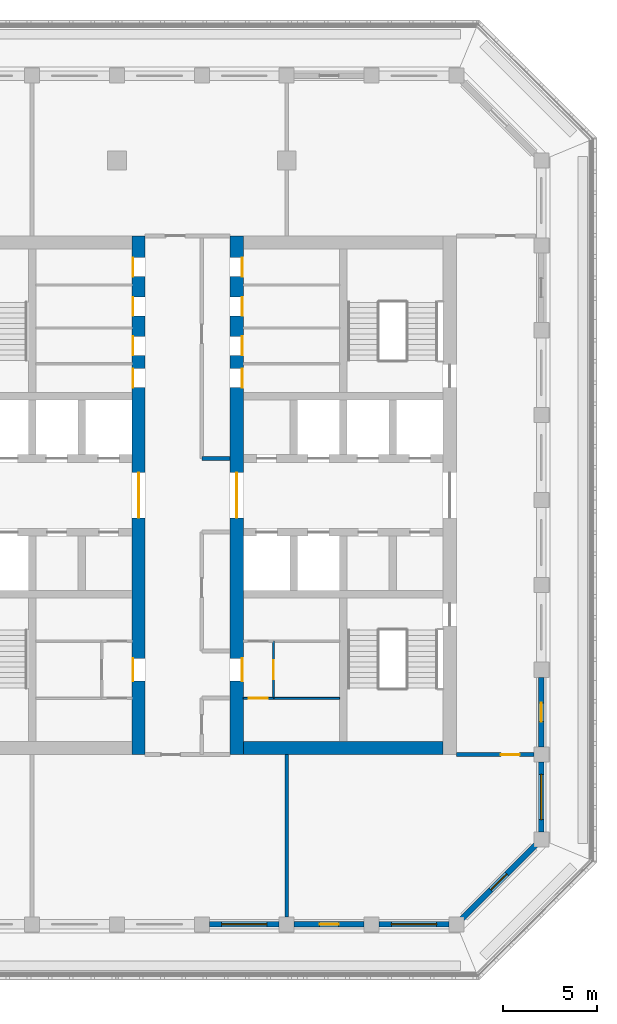
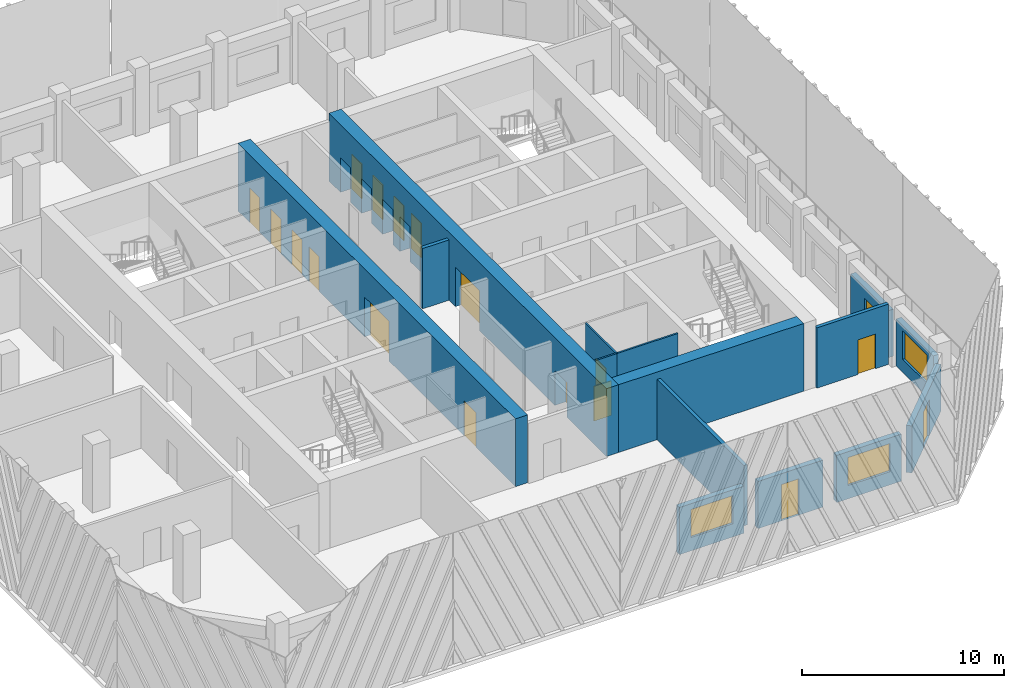
# One storey, part 4 of 15: 18 doors, 15 walls, 3 windows, 21 openings.
"""IFC4 building model written with IfcOpenShell, lengths in metres."""

from ifc_helpers import new_model, si_unit, direction, frame, frame_2d, origin, place, context, subcontext, project, spatial, rectangle, extrude, material, layer, layer_set, type_object, element, fill, save


model = new_model("IFC4")

# Units and contexts
model_context = context("Model", 3, precision=1e-05, world=origin(), true_north=direction((0.0, 1.0)))
body_context = subcontext(model_context, "Body", "Model", "MODEL_VIEW")
ifc_project = project(units=[si_unit("LENGTHUNIT", "METRE"), si_unit("AREAUNIT", "SQUARE_METRE"), si_unit("VOLUMEUNIT", "CUBIC_METRE"), si_unit("PLANEANGLEUNIT", "RADIAN"), si_unit("MASSUNIT", "GRAM", prefix="KILO")], contexts=[model_context])

# Site, building, storey
site_placement = place(None, origin())
site = spatial("IfcSite", under=ifc_project, at=site_placement, CompositionType="ELEMENT")
building_placement = place(site_placement, origin())
building = spatial("IfcBuilding", under=site, at=building_placement, Name="Corbel Stack Research Tower", CompositionType="ELEMENT")
storey_placement = place(building_placement, frame((0.0, 0.0, 274.5)))
storey = spatial("IfcBuildingStorey", under=building, at=storey_placement, Name="L62", CompositionType="ELEMENT", Elevation=274.5)

# Wall, openings, doors
ifc_material_1 = material(Name="Concrete C60/75", Category="concrete")
ifc_layer_1 = layer(ifc_material_1, 0.699951171875)
ifc_layer_set_1 = layer_set([ifc_layer_1], Name="Concrete C60/75")
wall_type_1 = type_object("IfcWallType", Name="CW-700-60", PredefinedType="SHEAR", material=ifc_layer_set_1)
wall_1_placement = place(storey_placement, frame((1.14990234375, -9.0, 0.0), z_axis=(0.0, 0.0, 1.0), x_axis=(0.0, 1.0, 0.0)))
wall_1 = element("IfcWall", 1, at=wall_1_placement, inside=storey, type_object=wall_type_1, Name="West core wall, east face L62", PredefinedType="SHEAR", context=body_context, shape_type="SweptSolid", body=[
    extrude(rectangle(XDim=27.5, YDim=0.699951171875, at=frame_2d((13.75, 0.0))), origin(), (0.0, 0.0, 1.0), 4.10009765625),
])
opening_1_placement = place(wall_1_placement, frame((12.550048828125, 0.0, 0.0)))
opening_1 = element("IfcOpeningElement", 2, at=opening_1_placement, cuts=wall_1, Name="Opening CD-W-E", PredefinedType="OPENING", context=body_context, shape_type="SweptSolid", body=[
    extrude(rectangle(XDim=2.39990234375, YDim=2.39990234375, at=frame_2d((1.199951171875, 1.199951171875))), frame((0.0, 0.35986328125, 0.0), z_axis=(0.0, -1.0, 0.0), x_axis=(1.0, 0.0, 0.0)), (0.0, 0.0, 1.0), 0.719970703125),
])
opening_2_placement = place(wall_1_placement, frame((3.89990234375, 0.0, 0.0)))
opening_2 = element("IfcOpeningElement", 3, at=opening_2_placement, cuts=wall_1, Name="Opening CR-W36-W1-1200", PredefinedType="OPENING", context=body_context, shape_type="SweptSolid", body=[
    extrude(rectangle(XDim=1.199951171875, YDim=2.10009765625, at=frame_2d((0.60009765625, 1.050048828125))), frame((0.0, 0.35986328125, 0.0), z_axis=(0.0, -1.0, 0.0), x_axis=(1.0, 0.0, 0.0)), (0.0, 0.0, 1.0), 0.719970703125),
])
opening_3_placement = place(wall_1_placement, frame((19.4599609375, 0.0, 0.0)))
opening_3 = element("IfcOpeningElement", 4, at=opening_3_placement, cuts=wall_1, Name="Opening CR-W36-R1-1000", PredefinedType="OPENING", context=body_context, shape_type="SweptSolid", body=[
    extrude(rectangle(XDim=1.0, YDim=2.10009765625, at=frame_2d((0.5, 1.050048828125))), frame((0.0, 0.35986328125, 0.0), z_axis=(0.0, -1.0, 0.0), x_axis=(1.0, 0.0, 0.0)), (0.0, 0.0, 1.0), 0.719970703125),
])
opening_4_placement = place(wall_1_placement, frame((21.169921875, 0.0, 0.0)))
opening_4 = element("IfcOpeningElement", 5, at=opening_4_placement, cuts=wall_1, Name="Opening CR-W36-R2-1000", PredefinedType="OPENING", context=body_context, shape_type="SweptSolid", body=[
    extrude(rectangle(XDim=1.0, YDim=2.10009765625, at=frame_2d((0.5, 1.050048828125))), frame((0.0, 0.35986328125, 0.0), z_axis=(0.0, -1.0, 0.0), x_axis=(1.0, 0.0, 0.0)), (0.0, 0.0, 1.0), 0.719970703125),
])
opening_5_placement = place(wall_1_placement, frame((23.260009765625, 0.0, 0.0)))
opening_5 = element("IfcOpeningElement", 6, at=opening_5_placement, cuts=wall_1, Name="Opening CR-W36-R3-1000", PredefinedType="OPENING", context=body_context, shape_type="SweptSolid", body=[
    extrude(rectangle(XDim=1.0, YDim=2.10009765625, at=frame_2d((0.5, 1.050048828125))), frame((0.0, 0.35986328125, 0.0), z_axis=(0.0, -1.0, 0.0), x_axis=(1.0, 0.0, 0.0)), (0.0, 0.0, 1.0), 0.719970703125),
])
opening_6_placement = place(wall_1_placement, frame((25.35009765625, 0.0, 0.0)))
opening_6 = element("IfcOpeningElement", 7, at=opening_6_placement, cuts=wall_1, Name="Opening CR-W36-R4-1000", PredefinedType="OPENING", context=body_context, shape_type="SweptSolid", body=[
    extrude(rectangle(XDim=1.0, YDim=2.10009765625, at=frame_2d((0.5, 1.050048828125))), frame((0.0, 0.35986328125, 0.0), z_axis=(0.0, -1.0, 0.0), x_axis=(1.0, 0.0, 0.0)), (0.0, 0.0, 1.0), 0.719970703125),
])
ifc_material_2 = material(Name="Painted steel fire door", Category="steel")
door_type_1 = type_object("IfcDoorType", Name="Lobby door pair 2400 x 2400 FD30S", OperationType="DOUBLE_DOOR_DOUBLE_SWING", PredefinedType="DOOR", material=ifc_material_2)
door_1_placement = place(opening_1_placement, origin())
door_1 = element("IfcDoor", 8, at=door_1_placement, inside=storey, type_object=door_type_1, Name="Lift lobby door W core E", OperationType="DOUBLE_DOOR_DOUBLE_SWING", OverallHeight=2.39990234375, OverallWidth=2.39990234375, PredefinedType="DOOR", context=body_context, shape_type="SweptSolid", body=[
    extrude(rectangle(XDim=2.39990234375, YDim=2.39990234375, at=frame_2d((1.199951171875, 1.199951171875))), frame((0.0, 0.02490234375, 0.0), z_axis=(0.0, -1.0, 0.0), x_axis=(1.0, 0.0, 0.0)), (0.0, 0.0, 1.0), 0.050048828125),
])
fill(opening_1, door_1)
ifc_material_3 = material(Name="Painted steel door", Category="steel")
door_type_2 = type_object("IfcDoorType", Name="Riser door 1000 x 2100 FD60 left hand", OperationType="SINGLE_SWING_LEFT", PredefinedType="DOOR", material=ifc_material_3)
door_2_placement = place(opening_3_placement, origin())
door_2 = element("IfcDoor", 9, at=door_2_placement, inside=storey, type_object=door_type_2, Name="Electrical riser door W core", OperationType="SINGLE_SWING_LEFT", OverallHeight=2.10009765625, OverallWidth=1.0, PredefinedType="DOOR", context=body_context, shape_type="SweptSolid", body=[
    extrude(rectangle(XDim=1.0, YDim=2.10009765625, at=frame_2d((0.5, 1.050048828125))), frame((0.0, 0.3251953125, 0.0), z_axis=(0.0, -1.0, 0.0), x_axis=(1.0, 0.0, 0.0)), (0.0, 0.0, 1.0), 0.050048828125),
])
fill(opening_3, door_2)
ifc_material_4 = material(Name="Painted steel door", Category="steel")
door_type_3 = type_object("IfcDoorType", Name="Riser door 1000 x 2100 FD60 right hand", OperationType="SINGLE_SWING_RIGHT", PredefinedType="DOOR", material=ifc_material_4)
door_3_placement = place(opening_4_placement, origin())
door_3 = element("IfcDoor", 10, at=door_3_placement, inside=storey, type_object=door_type_3, Name="Telecom room door W core", OperationType="SINGLE_SWING_RIGHT", OverallHeight=2.10009765625, OverallWidth=1.0, PredefinedType="DOOR", context=body_context, shape_type="SweptSolid", body=[
    extrude(rectangle(XDim=1.0, YDim=2.10009765625, at=frame_2d((0.5, 1.050048828125))), frame((0.0, 0.3251953125, 0.0), z_axis=(0.0, -1.0, 0.0), x_axis=(1.0, 0.0, 0.0)), (0.0, 0.0, 1.0), 0.050048828125),
])
fill(opening_4, door_3)
ifc_material_5 = material(Name="Painted steel door", Category="steel")
door_type_4 = type_object("IfcDoorType", Name="Service door 1000 x 2100 FD30 left hand", OperationType="SINGLE_SWING_LEFT", PredefinedType="DOOR", material=ifc_material_5)
door_4_placement = place(opening_5_placement, origin())
door_4 = element("IfcDoor", 11, at=door_4_placement, inside=storey, type_object=door_type_4, Name="Pantry door W core", OperationType="SINGLE_SWING_LEFT", OverallHeight=2.10009765625, OverallWidth=1.0, PredefinedType="DOOR", context=body_context, shape_type="SweptSolid", body=[
    extrude(rectangle(XDim=1.0, YDim=2.10009765625, at=frame_2d((0.5, 1.050048828125))), frame((0.0, 0.3251953125, 0.0), z_axis=(0.0, -1.0, 0.0), x_axis=(1.0, 0.0, 0.0)), (0.0, 0.0, 1.0), 0.050048828125),
])
fill(opening_5, door_4)
ifc_material_6 = material(Name="Painted steel door", Category="steel")
door_type_5 = type_object("IfcDoorType", Name="Service door 1000 x 2100 FD30 right hand", OperationType="SINGLE_SWING_RIGHT", PredefinedType="DOOR", material=ifc_material_6)
door_5_placement = place(opening_6_placement, origin())
door_5 = element("IfcDoor", 12, at=door_5_placement, inside=storey, type_object=door_type_5, Name="Cleaner's store door W core", OperationType="SINGLE_SWING_RIGHT", OverallHeight=2.10009765625, OverallWidth=1.0, PredefinedType="DOOR", context=body_context, shape_type="SweptSolid", body=[
    extrude(rectangle(XDim=1.0, YDim=2.10009765625, at=frame_2d((0.5, 1.050048828125))), frame((0.0, 0.3251953125, 0.0), z_axis=(0.0, -1.0, 0.0), x_axis=(1.0, 0.0, 0.0)), (0.0, 0.0, 1.0), 0.050048828125),
])
fill(opening_6, door_5)
ifc_material_7 = material(Name="Painted timber door", Category="wood")
door_type_6 = type_object("IfcDoorType", Name="WC door 1200 x 2100 left hand", OperationType="SINGLE_SWING_LEFT", PredefinedType="DOOR", material=ifc_material_7)
door_6_placement = place(opening_2_placement, origin())
door_6 = element("IfcDoor", 13, at=door_6_placement, inside=storey, type_object=door_type_6, Name="WC lobby door W core", OperationType="SINGLE_SWING_LEFT", OverallHeight=2.10009765625, OverallWidth=1.199951171875, PredefinedType="DOOR", context=body_context, shape_type="SweptSolid", body=[
    extrude(rectangle(XDim=1.199951171875, YDim=2.10009765625, at=frame_2d((0.60009765625, 1.050048828125))), frame((0.0, 0.3251953125, 0.0), z_axis=(0.0, -1.0, 0.0), x_axis=(1.0, 0.0, 0.0)), (0.0, 0.0, 1.0), 0.050048828125),
])
fill(opening_2, door_6)

wall_2_placement = place(storey_placement, frame((6.35009765625, -9.0, 0.0), z_axis=(0.0, 0.0, 1.0), x_axis=(0.0, 1.0, 0.0)))
wall_2 = element("IfcWall", 14, at=wall_2_placement, inside=storey, type_object=wall_type_1, Name="East core wall, west face L62", PredefinedType="SHEAR", context=body_context, shape_type="SweptSolid", body=[
    extrude(rectangle(XDim=27.5, YDim=0.699951171875, at=frame_2d((13.75, 0.0))), origin(), (0.0, 0.0, 1.0), 4.10009765625),
])
opening_7_placement = place(wall_2_placement, frame((12.550048828125, 0.0, 0.0)))
opening_7 = element("IfcOpeningElement", 15, at=opening_7_placement, cuts=wall_2, Name="Opening CD-E-W", PredefinedType="OPENING", context=body_context, shape_type="SweptSolid", body=[
    extrude(rectangle(XDim=2.39990234375, YDim=2.39990234375, at=frame_2d((1.199951171875, 1.199951171875))), frame((0.0, 0.35986328125, 0.0), z_axis=(0.0, -1.0, 0.0), x_axis=(1.0, 0.0, 0.0)), (0.0, 0.0, 1.0), 0.719970703125),
])
opening_8_placement = place(wall_2_placement, frame((3.89990234375, 0.0, 0.0)))
opening_8 = element("IfcOpeningElement", 16, at=opening_8_placement, cuts=wall_2, Name="Opening CR-E36-W1-1200", PredefinedType="OPENING", context=body_context, shape_type="SweptSolid", body=[
    extrude(rectangle(XDim=1.199951171875, YDim=2.10009765625, at=frame_2d((0.60009765625, 1.050048828125))), frame((0.0, 0.35986328125, 0.0), z_axis=(0.0, -1.0, 0.0), x_axis=(1.0, 0.0, 0.0)), (0.0, 0.0, 1.0), 0.719970703125),
])
opening_9_placement = place(wall_2_placement, frame((19.4599609375, 0.0, 0.0)))
opening_9 = element("IfcOpeningElement", 17, at=opening_9_placement, cuts=wall_2, Name="Opening CR-E36-R1-1000", PredefinedType="OPENING", context=body_context, shape_type="SweptSolid", body=[
    extrude(rectangle(XDim=1.0, YDim=2.10009765625, at=frame_2d((0.5, 1.050048828125))), frame((0.0, 0.35986328125, 0.0), z_axis=(0.0, -1.0, 0.0), x_axis=(1.0, 0.0, 0.0)), (0.0, 0.0, 1.0), 0.719970703125),
])
opening_10_placement = place(wall_2_placement, frame((21.169921875, 0.0, 0.0)))
opening_10 = element("IfcOpeningElement", 18, at=opening_10_placement, cuts=wall_2, Name="Opening CR-E36-R2-1000", PredefinedType="OPENING", context=body_context, shape_type="SweptSolid", body=[
    extrude(rectangle(XDim=1.0, YDim=2.10009765625, at=frame_2d((0.5, 1.050048828125))), frame((0.0, 0.35986328125, 0.0), z_axis=(0.0, -1.0, 0.0), x_axis=(1.0, 0.0, 0.0)), (0.0, 0.0, 1.0), 0.719970703125),
])
opening_11_placement = place(wall_2_placement, frame((23.260009765625, 0.0, 0.0)))
opening_11 = element("IfcOpeningElement", 19, at=opening_11_placement, cuts=wall_2, Name="Opening CR-E36-R3-1000", PredefinedType="OPENING", context=body_context, shape_type="SweptSolid", body=[
    extrude(rectangle(XDim=1.0, YDim=2.10009765625, at=frame_2d((0.5, 1.050048828125))), frame((0.0, 0.35986328125, 0.0), z_axis=(0.0, -1.0, 0.0), x_axis=(1.0, 0.0, 0.0)), (0.0, 0.0, 1.0), 0.719970703125),
])
opening_12_placement = place(wall_2_placement, frame((25.35009765625, 0.0, 0.0)))
opening_12 = element("IfcOpeningElement", 20, at=opening_12_placement, cuts=wall_2, Name="Opening CR-E36-R4-1000", PredefinedType="OPENING", context=body_context, shape_type="SweptSolid", body=[
    extrude(rectangle(XDim=1.0, YDim=2.10009765625, at=frame_2d((0.5, 1.050048828125))), frame((0.0, 0.35986328125, 0.0), z_axis=(0.0, -1.0, 0.0), x_axis=(1.0, 0.0, 0.0)), (0.0, 0.0, 1.0), 0.719970703125),
])
door_7_placement = place(opening_7_placement, origin())
door_7 = element("IfcDoor", 21, at=door_7_placement, inside=storey, type_object=door_type_1, Name="Lift lobby door E core W", OperationType="DOUBLE_DOOR_DOUBLE_SWING", OverallHeight=2.39990234375, OverallWidth=2.39990234375, PredefinedType="DOOR", context=body_context, shape_type="SweptSolid", body=[
    extrude(rectangle(XDim=2.39990234375, YDim=2.39990234375, at=frame_2d((1.199951171875, 1.199951171875))), frame((0.0, 0.02490234375, 0.0), z_axis=(0.0, -1.0, 0.0), x_axis=(1.0, 0.0, 0.0)), (0.0, 0.0, 1.0), 0.050048828125),
])
fill(opening_7, door_7)
door_8_placement = place(opening_10_placement, origin())
door_8 = element("IfcDoor", 22, at=door_8_placement, inside=storey, type_object=door_type_2, Name="Telecom room door E core", OperationType="SINGLE_SWING_LEFT", OverallHeight=2.10009765625, OverallWidth=1.0, PredefinedType="DOOR", context=body_context, shape_type="SweptSolid", body=[
    extrude(rectangle(XDim=1.0, YDim=2.10009765625, at=frame_2d((0.5, 1.050048828125))), frame((0.0, -0.27490234375, 0.0), z_axis=(0.0, -1.0, 0.0), x_axis=(1.0, 0.0, 0.0)), (0.0, 0.0, 1.0), 0.050048828125),
])
fill(opening_10, door_8)
door_9_placement = place(opening_9_placement, origin())
door_9 = element("IfcDoor", 23, at=door_9_placement, inside=storey, type_object=door_type_3, Name="Electrical riser door E core", OperationType="SINGLE_SWING_RIGHT", OverallHeight=2.10009765625, OverallWidth=1.0, PredefinedType="DOOR", context=body_context, shape_type="SweptSolid", body=[
    extrude(rectangle(XDim=1.0, YDim=2.10009765625, at=frame_2d((0.5, 1.050048828125))), frame((0.0, -0.27490234375, 0.0), z_axis=(0.0, -1.0, 0.0), x_axis=(1.0, 0.0, 0.0)), (0.0, 0.0, 1.0), 0.050048828125),
])
fill(opening_9, door_9)
door_10_placement = place(opening_12_placement, origin())
door_10 = element("IfcDoor", 24, at=door_10_placement, inside=storey, type_object=door_type_4, Name="Cleaner's store door E core", OperationType="SINGLE_SWING_LEFT", OverallHeight=2.10009765625, OverallWidth=1.0, PredefinedType="DOOR", context=body_context, shape_type="SweptSolid", body=[
    extrude(rectangle(XDim=1.0, YDim=2.10009765625, at=frame_2d((0.5, 1.050048828125))), frame((0.0, -0.27490234375, 0.0), z_axis=(0.0, -1.0, 0.0), x_axis=(1.0, 0.0, 0.0)), (0.0, 0.0, 1.0), 0.050048828125),
])
fill(opening_12, door_10)
door_11_placement = place(opening_11_placement, origin())
door_11 = element("IfcDoor", 25, at=door_11_placement, inside=storey, type_object=door_type_5, Name="Pantry door E core", OperationType="SINGLE_SWING_RIGHT", OverallHeight=2.10009765625, OverallWidth=1.0, PredefinedType="DOOR", context=body_context, shape_type="SweptSolid", body=[
    extrude(rectangle(XDim=1.0, YDim=2.10009765625, at=frame_2d((0.5, 1.050048828125))), frame((0.0, -0.27490234375, 0.0), z_axis=(0.0, -1.0, 0.0), x_axis=(1.0, 0.0, 0.0)), (0.0, 0.0, 1.0), 0.050048828125),
])
fill(opening_11, door_11)
ifc_material_8 = material(Name="Painted timber door", Category="wood")
door_type_7 = type_object("IfcDoorType", Name="WC door 1200 x 2100 right hand", OperationType="SINGLE_SWING_RIGHT", PredefinedType="DOOR", material=ifc_material_8)
door_12_placement = place(opening_8_placement, origin())
door_12 = element("IfcDoor", 26, at=door_12_placement, inside=storey, type_object=door_type_7, Name="WC lobby door E core", OperationType="SINGLE_SWING_RIGHT", OverallHeight=2.10009765625, OverallWidth=1.199951171875, PredefinedType="DOOR", context=body_context, shape_type="SweptSolid", body=[
    extrude(rectangle(XDim=1.199951171875, YDim=2.10009765625, at=frame_2d((0.60009765625, 1.050048828125))), frame((0.0, -0.27490234375, 0.0), z_axis=(0.0, -1.0, 0.0), x_axis=(1.0, 0.0, 0.0)), (0.0, 0.0, 1.0), 0.050048828125),
])
fill(opening_8, door_12)

# Wall
wall_3_placement = place(storey_placement, frame((6.699951171875, -8.64990234375, 0.0), z_axis=(0.0, 0.0, 1.0), x_axis=(1.0, 0.0, 0.0)))
element("IfcWall", 27, at=wall_3_placement, inside=storey, type_object=wall_type_1, Name="East core wall, south end L62", PredefinedType="SHEAR", context=body_context, shape_type="SweptSolid", body=[
    extrude(rectangle(XDim=10.60009765625, YDim=0.699951171875, at=frame_2d((5.300048828125, 0.0))), origin(), (0.0, 0.0, 1.0), 4.10009765625),
])

# Wall, opening, door
ifc_material_9 = material(Name="Gypsum board")
ifc_layer_2 = layer(ifc_material_9, 0.10009765625)
ifc_layer_set_2 = layer_set([ifc_layer_2], Name="Gypsum board")
wall_type_2 = type_object("IfcWallType", Name="Core partition 100", PredefinedType="PARTITIONING", material=ifc_layer_set_2)
wall_4_placement = place(storey_placement, frame((6.699951171875, -6.02001953125, 0.0), z_axis=(0.0, 0.0, 1.0), x_axis=(1.0, 0.0, 0.0)))
wall_4 = element("IfcWall", 28, at=wall_4_placement, inside=storey, type_object=wall_type_2, Name="Core partition E", PredefinedType="PARTITIONING", context=body_context, shape_type="SweptSolid", body=[
    extrude(rectangle(XDim=1.60009765625, YDim=0.10009765625, at=frame_2d((0.800048828125, 0.0))), origin(), (0.0, 0.0, 1.0), 3.64990234375),
])
opening_13_placement = place(wall_4_placement, frame((0.300048828125, 0.0, 0.0)))
opening_13 = element("IfcOpeningElement", 29, at=opening_13_placement, cuts=wall_4, Name="Opening CR-E36-W2-1000", PredefinedType="OPENING", context=body_context, shape_type="SweptSolid", body=[
    extrude(rectangle(XDim=1.0, YDim=2.10009765625, at=frame_2d((0.5, 1.050048828125))), frame((0.0, 0.06005859375, 0.0), z_axis=(0.0, -1.0, 0.0), x_axis=(1.0, 0.0, 0.0)), (0.0, 0.0, 1.0), 0.1201171875),
])
ifc_material_10 = material(Name="Painted timber door", Category="wood")
door_type_8 = type_object("IfcDoorType", Name="WC door 1000 x 2100 left hand", OperationType="SINGLE_SWING_LEFT", PredefinedType="DOOR", material=ifc_material_10)
door_13_placement = place(opening_13_placement, origin())
door_13 = element("IfcDoor", 30, at=door_13_placement, inside=storey, type_object=door_type_8, Name="Men's WC door E core", OperationType="SINGLE_SWING_LEFT", OverallHeight=2.10009765625, OverallWidth=1.0, PredefinedType="DOOR", context=body_context, shape_type="SweptSolid", body=[
    extrude(rectangle(XDim=1.0, YDim=2.10009765625, at=frame_2d((0.5, 1.050048828125))), frame((0.0, 0.02490234375, 0.0), z_axis=(0.0, -1.0, 0.0), x_axis=(1.0, 0.0, 0.0)), (0.0, 0.0, 1.0), 0.050048828125),
])
fill(opening_13, door_13)

wall_5_placement = place(storey_placement, frame((8.300048828125, -6.02001953125, 0.0), z_axis=(0.0, 0.0, 1.0), x_axis=(0.0, 1.0, 0.0)))
wall_5 = element("IfcWall", 31, at=wall_5_placement, inside=storey, type_object=wall_type_2, Name="Core partition E", PredefinedType="PARTITIONING", context=body_context, shape_type="SweptSolid", body=[
    extrude(rectangle(XDim=3.0400390625, YDim=0.10009765625, at=frame_2d((1.52001953125, 0.0))), origin(), (0.0, 0.0, 1.0), 3.64990234375),
])
opening_14_placement = place(wall_5_placement, frame((1.02001953125, 0.0, 0.0)))
opening_14 = element("IfcOpeningElement", 32, at=opening_14_placement, cuts=wall_5, Name="Opening CR-E36-W4-1000", PredefinedType="OPENING", context=body_context, shape_type="SweptSolid", body=[
    extrude(rectangle(XDim=1.0, YDim=2.10009765625, at=frame_2d((0.5, 1.050048828125))), frame((0.0, 0.06005859375, 0.0), z_axis=(0.0, -1.0, 0.0), x_axis=(1.0, 0.0, 0.0)), (0.0, 0.0, 1.0), 0.1201171875),
])
door_14_placement = place(opening_14_placement, origin())
door_14 = element("IfcDoor", 33, at=door_14_placement, inside=storey, type_object=door_type_8, Name="Accessible WC door E core", OperationType="SINGLE_SWING_LEFT", OverallHeight=2.10009765625, OverallWidth=1.0, PredefinedType="DOOR", context=body_context, shape_type="SweptSolid", body=[
    extrude(rectangle(XDim=1.0, YDim=2.10009765625, at=frame_2d((0.5, 1.050048828125))), frame((0.0, 0.02490234375, 0.0), z_axis=(0.0, -1.0, 0.0), x_axis=(1.0, 0.0, 0.0)), (0.0, 0.0, 1.0), 0.050048828125),
])
fill(opening_14, door_14)

# Walls
wall_6_placement = place(storey_placement, frame((8.300048828125, -6.02001953125, 0.0), z_axis=(0.0, 0.0, 1.0), x_axis=(1.0, 0.0, 0.0)))
element("IfcWall", 34, at=wall_6_placement, inside=storey, type_object=wall_type_2, Name="Core partition E", PredefinedType="PARTITIONING", context=body_context, shape_type="SweptSolid", body=[
    extrude(rectangle(XDim=3.5, YDim=0.10009765625, at=frame_2d((1.75, 0.0))), origin(), (0.0, 0.0, 1.0), 3.64990234375),
])
ifc_material_11 = material(Name="Fire-rated gypsum board partition on steel studs", Category="steel")
ifc_layer_3 = layer(ifc_material_11, 0.199951171875)
ifc_layer_set_3 = layer_set([ifc_layer_3], Name="Fire-rated gypsum board partition on steel studs")
wall_type_3 = type_object("IfcWallType", Name="Fire-rated partition 200 EI 60", PredefinedType="PARTITIONING", material=ifc_layer_set_3)
wall_7_placement = place(storey_placement, frame((9.0, -17.60009765625, 0.0), z_axis=(0.0, 0.0, 1.0), x_axis=(0.0, 1.0, 0.0)))
element("IfcWall", 35, at=wall_7_placement, inside=storey, type_object=wall_type_3, Name="Partition L62-008", PredefinedType="PARTITIONING", context=body_context, shape_type="SweptSolid", body=[
    extrude(rectangle(XDim=8.60009765625, YDim=0.199951171875, at=frame_2d((4.300048828125, 0.0))), origin(), (0.0, 0.0, 1.0), 3.64990234375),
])

# Wall, opening, door
wall_8_placement = place(storey_placement, frame((22.10009765625, -9.0, 0.0), z_axis=(0.0, 0.0, 1.0), x_axis=(-1.0, 0.0, 0.0)))
wall_8 = element("IfcWall", 36, at=wall_8_placement, inside=storey, type_object=wall_type_3, Name="Partition L62-013", PredefinedType="PARTITIONING", context=body_context, shape_type="SweptSolid", body=[
    extrude(rectangle(XDim=4.10009765625, YDim=0.199951171875, at=frame_2d((2.050048828125, 0.0))), origin(), (0.0, 0.0, 1.0), 3.64990234375),
])
opening_15_placement = place(wall_8_placement, frame((0.75, 0.0, 0.0)))
opening_15 = element("IfcOpeningElement", 37, at=opening_15_placement, cuts=wall_8, Name="Opening B8V1-005", PredefinedType="OPENING", context=body_context, shape_type="SweptSolid", body=[
    extrude(rectangle(XDim=1.0, YDim=2.10009765625, at=frame_2d((0.5, 1.050048828125))), frame((0.0, 0.10986328125, 0.0), z_axis=(0.0, -1.0, 0.0), x_axis=(1.0, 0.0, 0.0)), (0.0, 0.0, 1.0), 0.219970703125),
])
ifc_material_12 = material(Name="Painted steel fire door", Category="steel")
door_type_9 = type_object("IfcDoorType", Name="Fire door FD30S 1000 x 2100", OperationType="NOTDEFINED", PredefinedType="DOOR", material=ifc_material_12)
door_15_placement = place(opening_15_placement, origin())
door_15 = element("IfcDoor", 38, at=door_15_placement, inside=storey, type_object=door_type_9, Name="Door B8V1-005", OperationType="SINGLE_SWING_LEFT", OverallHeight=2.10009765625, OverallWidth=1.0, PredefinedType="DOOR", context=body_context, shape_type="SweptSolid", body=[
    extrude(rectangle(XDim=1.0, YDim=2.10009765625, at=frame_2d((0.5, 1.050048828125))), frame((0.0, 0.02490234375, 0.0), z_axis=(0.0, -1.0, 0.0), x_axis=(1.0, 0.0, 0.0)), (0.0, 0.0, 1.0), 0.050048828125),
])
fill(opening_15, door_15)

# Wall
wall_9_placement = place(storey_placement, frame((4.5, 6.699951171875, 0.0), z_axis=(0.0, 0.0, 1.0), x_axis=(1.0, 0.0, 0.0)))
element("IfcWall", 39, at=wall_9_placement, inside=storey, type_object=wall_type_3, Name="Partition L62-020", PredefinedType="PARTITIONING", context=body_context, shape_type="SweptSolid", body=[
    extrude(rectangle(XDim=1.5, YDim=0.199951171875, at=frame_2d((0.75, 0.0))), origin(), (0.0, 0.0, 1.0), 3.64990234375),
])

# Wall, opening, window
ifc_material_13 = material(Name="Concrete C45/55", Category="concrete")
ifc_layer_4 = layer(ifc_material_13, 0.300048828125)
ifc_layer_set_4 = layer_set([ifc_layer_4], Name="Concrete C45/55")
wall_type_4 = type_object("IfcWallType", Name="Terracotta-faced concrete wall 300", PredefinedType="SOLIDWALL", material=ifc_layer_set_4)
wall_10_placement = place(storey_placement, frame((8.60009765625, -18.0, 0.0), z_axis=(0.0, 0.0, 1.0), x_axis=(-1.0, 0.0, 0.0)))
wall_10 = element("IfcWall", 40, at=wall_10_placement, inside=storey, type_object=wall_type_4, Name="Facade wall L62 S06", PredefinedType="SOLIDWALL", context=body_context, shape_type="SweptSolid", body=[
    extrude(rectangle(XDim=3.7001953125, YDim=0.300048828125, at=frame_2d((1.85009765625, 0.0))), origin(), (0.0, 0.0, 1.0), 2.85009765625),
])
opening_16_placement = place(wall_10_placement, frame((0.64990234375, 0.0, 0.800048828125)))
opening_16 = element("IfcOpeningElement", 41, at=opening_16_placement, cuts=wall_10, Name="Opening W1", PredefinedType="OPENING", context=body_context, shape_type="SweptSolid", body=[
    extrude(rectangle(XDim=2.39990234375, YDim=1.699951171875, at=frame_2d((1.199951171875, 0.85009765625))), frame((0.0, 0.159912109375, 0.0), z_axis=(0.0, -1.0, 0.0), x_axis=(1.0, 0.0, 0.0)), (0.0, 0.0, 1.0), 0.320068359375),
])
ifc_material_14 = material(Name="Aluminium frame, clear double glazing", Category="aluminium")
window_type = type_object("IfcWindowType", Name="Window W1 2400 x 1700", PartitioningType="SINGLE_PANEL", PredefinedType="WINDOW", material=ifc_material_14)
window_1_placement = place(opening_16_placement, origin())
window_1 = element("IfcWindow", 42, at=window_1_placement, inside=storey, type_object=window_type, Name="Window W1 L62 S06", OverallHeight=1.699951171875, OverallWidth=2.39990234375, PartitioningType="SINGLE_PANEL", PredefinedType="WINDOW", context=body_context, shape_type="SweptSolid", body=[
    extrude(rectangle(XDim=2.39990234375, YDim=1.699951171875, at=frame_2d((1.199951171875, 0.85009765625))), frame((0.0, 0.030029296875, 0.0), z_axis=(0.0, -1.0, 0.0), x_axis=(1.0, 0.0, 0.0)), (0.0, 0.0, 1.0), 0.06005859375),
])
fill(opening_16, window_1)

# Wall, opening, door
wall_11_placement = place(storey_placement, frame((13.10009765625, -18.0, 0.0), z_axis=(0.0, 0.0, 1.0), x_axis=(-1.0, 0.0, 0.0)))
wall_11 = element("IfcWall", 43, at=wall_11_placement, inside=storey, type_object=wall_type_4, Name="Facade wall L62 S07", PredefinedType="SOLIDWALL", context=body_context, shape_type="SweptSolid", body=[
    extrude(rectangle(XDim=3.7001953125, YDim=0.300048828125, at=frame_2d((1.85009765625, 0.0))), origin(), (0.0, 0.0, 1.0), 2.85009765625),
])
opening_17_placement = place(wall_11_placement, frame((1.35009765625, 0.0, 0.0)))
opening_17 = element("IfcOpeningElement", 44, at=opening_17_placement, cuts=wall_11, Name="Opening L62-B02", PredefinedType="OPENING", context=body_context, shape_type="SweptSolid", body=[
    extrude(rectangle(XDim=1.0, YDim=2.199951171875, at=frame_2d((0.5, 1.10009765625))), frame((0.0, 0.159912109375, 0.0), z_axis=(0.0, -1.0, 0.0), x_axis=(1.0, 0.0, 0.0)), (0.0, 0.0, 1.0), 0.320068359375),
])
ifc_material_15 = material(Name="Aluminium frame, clear double glazing", Category="aluminium")
door_type_10 = type_object("IfcDoorType", Name="Balcony door BD1 1000 x 2200", OperationType="NOTDEFINED", PredefinedType="DOOR", material=ifc_material_15)
door_16_placement = place(opening_17_placement, origin())
door_16 = element("IfcDoor", 45, at=door_16_placement, inside=storey, type_object=door_type_10, Name="Balcony door L62-B02", OperationType="SINGLE_SWING_LEFT", OverallHeight=2.199951171875, OverallWidth=1.0, PredefinedType="DOOR", context=body_context, shape_type="SweptSolid", body=[
    extrude(rectangle(XDim=1.0, YDim=2.199951171875, at=frame_2d((0.5, 1.10009765625))), frame((0.0, 0.02490234375, 0.0), z_axis=(0.0, -1.0, 0.0), x_axis=(1.0, 0.0, 0.0)), (0.0, 0.0, 1.0), 0.050048828125),
])
fill(opening_17, door_16)

# Wall, opening, window
wall_12_placement = place(storey_placement, frame((17.60009765625, -18.0, 0.0), z_axis=(0.0, 0.0, 1.0), x_axis=(-1.0, 0.0, 0.0)))
wall_12 = element("IfcWall", 46, at=wall_12_placement, inside=storey, type_object=wall_type_4, Name="Facade wall L62 S08", PredefinedType="SOLIDWALL", context=body_context, shape_type="SweptSolid", body=[
    extrude(rectangle(XDim=3.7001953125, YDim=0.300048828125, at=frame_2d((1.85009765625, 0.0))), origin(), (0.0, 0.0, 1.0), 2.85009765625),
])
opening_18_placement = place(wall_12_placement, frame((0.64990234375, 0.0, 0.800048828125)))
opening_18 = element("IfcOpeningElement", 47, at=opening_18_placement, cuts=wall_12, Name="Opening W1", PredefinedType="OPENING", context=body_context, shape_type="SweptSolid", body=[
    extrude(rectangle(XDim=2.39990234375, YDim=1.699951171875, at=frame_2d((1.199951171875, 0.85009765625))), frame((0.0, 0.159912109375, 0.0), z_axis=(0.0, -1.0, 0.0), x_axis=(1.0, 0.0, 0.0)), (0.0, 0.0, 1.0), 0.320068359375),
])
window_2_placement = place(opening_18_placement, origin())
window_2 = element("IfcWindow", 48, at=window_2_placement, inside=storey, type_object=window_type, Name="Window W1 L62 S08", OverallHeight=1.699951171875, OverallWidth=2.39990234375, PartitioningType="SINGLE_PANEL", PredefinedType="WINDOW", context=body_context, shape_type="SweptSolid", body=[
    extrude(rectangle(XDim=2.39990234375, YDim=1.699951171875, at=frame_2d((1.199951171875, 0.85009765625))), frame((0.0, 0.030029296875, 0.0), z_axis=(0.0, -1.0, 0.0), x_axis=(1.0, 0.0, 0.0)), (0.0, 0.0, 1.0), 0.06005859375),
])
fill(opening_18, window_2)

# Wall, opening, door
wall_13_placement = place(storey_placement, frame((22.2060546875, -13.7939453125, 0.0), z_axis=(0.0, 0.0, 1.0), x_axis=(-0.707106781187, -0.707106781187, 0.0)))
wall_13 = element("IfcWall", 49, at=wall_13_placement, inside=storey, type_object=wall_type_4, Name="Facade wall L62 SE01", PredefinedType="SOLIDWALL", context=body_context, shape_type="SweptSolid", body=[
    extrude(rectangle(XDim=5.532470703125, YDim=0.300048828125, at=frame_2d((2.76611328125, 0.0))), origin(), (0.0, 0.0, 1.0), 2.85009765625),
])
opening_19_placement = place(wall_13_placement, frame((2.166259765625, 0.0, 0.0)))
opening_19 = element("IfcOpeningElement", 50, at=opening_19_placement, cuts=wall_13, Name="Opening L62-B03", PredefinedType="OPENING", context=body_context, shape_type="SweptSolid", body=[
    extrude(rectangle(XDim=1.199951171875, YDim=2.199951171875, at=frame_2d((0.60009765625, 1.10009765625))), frame((0.0, 0.159912109375, 0.0), z_axis=(0.0, -1.0, 0.0), x_axis=(1.0, 0.0, 0.0)), (0.0, 0.0, 1.0), 0.320068359375),
])
ifc_material_16 = material(Name="Aluminium frame, clear double glazing", Category="aluminium")
door_type_11 = type_object("IfcDoorType", Name="Balcony door BD2 1200 x 2200", OperationType="NOTDEFINED", PredefinedType="DOOR", material=ifc_material_16)
door_17_placement = place(opening_19_placement, origin())
door_17 = element("IfcDoor", 51, at=door_17_placement, inside=storey, type_object=door_type_11, Name="Balcony door L62-B03", OperationType="SINGLE_SWING_LEFT", OverallHeight=2.199951171875, OverallWidth=1.199951171875, PredefinedType="DOOR", context=body_context, shape_type="SweptSolid", body=[
    extrude(rectangle(XDim=1.199951171875, YDim=2.199951171875, at=frame_2d((0.60009765625, 1.10009765625))), frame((0.0, 0.02490234375, 0.0), z_axis=(0.0, -1.0, 0.0), x_axis=(1.0, 0.0, 0.0)), (0.0, 0.0, 1.0), 0.050048828125),
])
fill(opening_19, door_17)

# Wall, opening, window
wall_14_placement = place(storey_placement, frame((22.5, -9.39990234375, 0.0), z_axis=(0.0, 0.0, 1.0), x_axis=(0.0, -1.0, 0.0)))
wall_14 = element("IfcWall", 52, at=wall_14_placement, inside=storey, type_object=wall_type_4, Name="Facade wall L62 E01", PredefinedType="SOLIDWALL", context=body_context, shape_type="SweptSolid", body=[
    extrude(rectangle(XDim=3.7001953125, YDim=0.300048828125, at=frame_2d((1.85009765625, 0.0))), origin(), (0.0, 0.0, 1.0), 2.85009765625),
])
opening_20_placement = place(wall_14_placement, frame((0.64990234375, 0.0, 0.800048828125)))
opening_20 = element("IfcOpeningElement", 53, at=opening_20_placement, cuts=wall_14, Name="Opening W1", PredefinedType="OPENING", context=body_context, shape_type="SweptSolid", body=[
    extrude(rectangle(XDim=2.39990234375, YDim=1.699951171875, at=frame_2d((1.199951171875, 0.85009765625))), frame((0.0, 0.159912109375, 0.0), z_axis=(0.0, -1.0, 0.0), x_axis=(1.0, 0.0, 0.0)), (0.0, 0.0, 1.0), 0.320068359375),
])
window_3_placement = place(opening_20_placement, origin())
window_3 = element("IfcWindow", 54, at=window_3_placement, inside=storey, type_object=window_type, Name="Window W1 L62 E01", OverallHeight=1.699951171875, OverallWidth=2.39990234375, PartitioningType="SINGLE_PANEL", PredefinedType="WINDOW", context=body_context, shape_type="SweptSolid", body=[
    extrude(rectangle(XDim=2.39990234375, YDim=1.699951171875, at=frame_2d((1.199951171875, 0.85009765625))), frame((0.0, 0.030029296875, 0.0), z_axis=(0.0, -1.0, 0.0), x_axis=(1.0, 0.0, 0.0)), (0.0, 0.0, 1.0), 0.06005859375),
])
fill(opening_20, window_3)

# Wall, opening, door
wall_15_placement = place(storey_placement, frame((22.5, -4.89990234375, 0.0), z_axis=(0.0, 0.0, 1.0), x_axis=(0.0, -1.0, 0.0)))
wall_15 = element("IfcWall", 55, at=wall_15_placement, inside=storey, type_object=wall_type_4, Name="Facade wall L62 E02", PredefinedType="SOLIDWALL", context=body_context, shape_type="SweptSolid", body=[
    extrude(rectangle(XDim=3.7001953125, YDim=0.300048828125, at=frame_2d((1.85009765625, 0.0))), origin(), (0.0, 0.0, 1.0), 2.85009765625),
])
opening_21_placement = place(wall_15_placement, frame((1.35009765625, 0.0, 0.0)))
opening_21 = element("IfcOpeningElement", 56, at=opening_21_placement, cuts=wall_15, Name="Opening L62-B04", PredefinedType="OPENING", context=body_context, shape_type="SweptSolid", body=[
    extrude(rectangle(XDim=1.0, YDim=2.199951171875, at=frame_2d((0.5, 1.10009765625))), frame((0.0, 0.159912109375, 0.0), z_axis=(0.0, -1.0, 0.0), x_axis=(1.0, 0.0, 0.0)), (0.0, 0.0, 1.0), 0.320068359375),
])
door_18_placement = place(opening_21_placement, origin())
door_18 = element("IfcDoor", 57, at=door_18_placement, inside=storey, type_object=door_type_10, Name="Balcony door L62-B04", OperationType="SINGLE_SWING_RIGHT", OverallHeight=2.199951171875, OverallWidth=1.0, PredefinedType="DOOR", context=body_context, shape_type="SweptSolid", body=[
    extrude(rectangle(XDim=1.0, YDim=2.199951171875, at=frame_2d((0.5, 1.10009765625))), frame((0.0, 0.02490234375, 0.0), z_axis=(0.0, -1.0, 0.0), x_axis=(1.0, 0.0, 0.0)), (0.0, 0.0, 1.0), 0.050048828125),
])
fill(opening_21, door_18)

save(model, "model.ifc")
